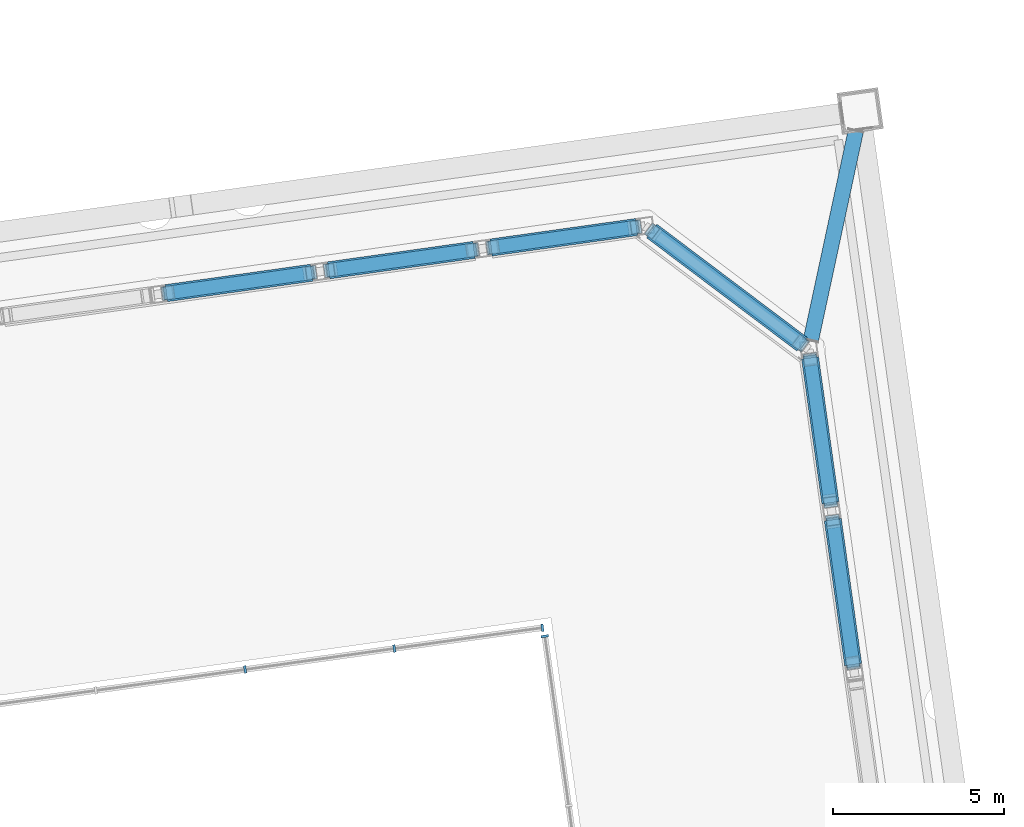
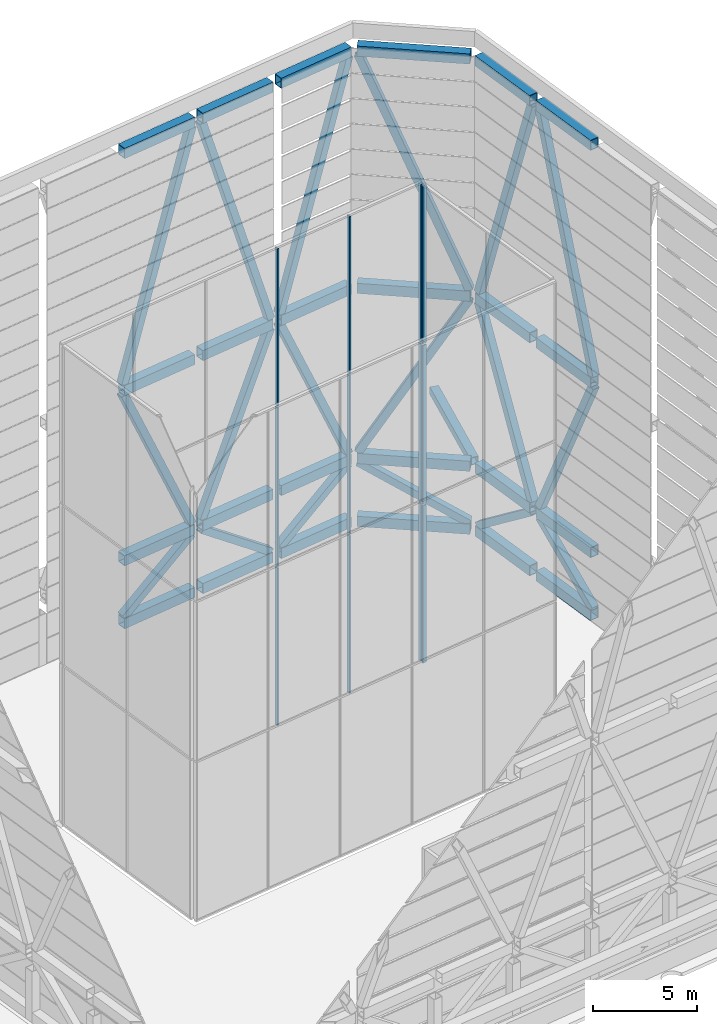
# One storey, part 17 of 45: 31 members, 24 beams, 2 elements without a shape of their own.
"""IFC4 building model written with IfcOpenShell, lengths in metres."""

from ifc_helpers import new_model, si_unit, direction, frame, origin, origin_2d, place, context, subcontext, project, spatial, rectangle, hollow_rectangle, extrude, material, material_profile, profile_set, type_object, element, aggregate, save


model = new_model("IFC4")

# Units and contexts
model_context = context("Model", 3, precision=1e-05, world=origin(), true_north=direction((0.0, 1.0)))
body_context = subcontext(model_context, "Body", "Model", "MODEL_VIEW")
ifc_project = project(units=[si_unit("LENGTHUNIT", "METRE"), si_unit("AREAUNIT", "SQUARE_METRE"), si_unit("VOLUMEUNIT", "CUBIC_METRE"), si_unit("PLANEANGLEUNIT", "RADIAN"), si_unit("MASSUNIT", "GRAM", prefix="KILO")], contexts=[model_context])

# Site, building, storey
site_placement = place(None, origin())
site = spatial("IfcSite", under=ifc_project, at=site_placement, CompositionType="ELEMENT")
building_placement = place(site_placement, origin())
building = spatial("IfcBuilding", under=site, at=building_placement, Name="Mirante Cascada Hotel Towers", CompositionType="ELEMENT")
storey_placement = place(building_placement, frame((0.0, 0.0, 269.8)))
storey = spatial("IfcBuildingStorey", under=building, at=storey_placement, Name="Roof garden", CompositionType="ELEMENT", Elevation=269.8)

# Beams
ifc_material_1 = material(Name="Steel ASTM A572 Gr 50", Category="steel")
ifc_material_profile_1 = material_profile(ifc_material_1, hollow_rectangle(XDim=0.5, YDim=0.6, WallThickness=0.03, at=origin_2d()), Name="Box beam 600x500x30 ASTM A572 Gr 50")
ifc_profile_set_1 = profile_set([ifc_material_profile_1], Name="Steel ASTM A572 Gr 50")
beam_type = type_object("IfcBeamType", Name="Box beam 600x500x30 ASTM A572 Gr 50", PredefinedType="BEAM", material=ifc_profile_set_1)
for number, where, z_axis, x_axis, name in (
    (1, (35.5397, 17.5108, 0.3), (0.9902647, 0.1391973, 0.0), (-0.1391973, 0.9902647, 0.0), "CROWN FRAME ring beam T2 13"),
    (2, (40.2806, 18.1771, 0.3), (0.9902679, 0.1391744, 0.0), (-0.1391744, 0.9902679, 0.0), "CROWN FRAME ring beam T2 14"),
    (3, (45.0215, 18.8434, 0.3), (0.9902679, 0.1391744, 0.0), (-0.1391744, 0.9902679, 0.0), "CROWN FRAME ring beam T2 15"),
):
    element("IfcBeam", number, at=place(storey_placement, frame(where, z_axis=z_axis, x_axis=x_axis)), inside=storey, type_object=beam_type, Name=name, PredefinedType="BEAM", context=body_context, shape_type="SweptSolid", body=[
        extrude(hollow_rectangle(XDim=0.5, YDim=0.6, WallThickness=0.03, at=origin_2d()), origin(), (0.0, 0.0, 1.0), 4.2874),
    ])
beam_1_placement = place(storey_placement, frame((49.7144, 19.3245, 0.3), z_axis=(0.7986365, -0.6018137, 0.0), x_axis=(0.6018137, 0.7986365, 0.0)))
element("IfcBeam", 4, at=beam_1_placement, inside=storey, type_object=beam_type, Name="CROWN FRAME ring beam T2 16", PredefinedType="BEAM", context=body_context, shape_type="SweptSolid", body=[
    extrude(hollow_rectangle(XDim=0.5, YDim=0.6, WallThickness=0.03, at=origin_2d()), origin(), (0.0, 0.0, 1.0), 5.4912),
])
beam_2_placement = place(storey_placement, frame((54.3343, 15.6218, 0.3), z_axis=(0.1391856, -0.9902663, 0.0), x_axis=(0.9902663, 0.1391856, 0.0)))
element("IfcBeam", 5, at=beam_2_placement, inside=storey, type_object=beam_type, Name="CROWN FRAME ring beam T2 17", PredefinedType="BEAM", context=body_context, shape_type="SweptSolid", body=[
    extrude(hollow_rectangle(XDim=0.5, YDim=0.6, WallThickness=0.03, at=origin_2d()), origin(), (0.0, 0.0, 1.0), 4.2713),
])
beam_3_placement = place(storey_placement, frame((54.9984, 10.897, 0.3), z_axis=(0.1391659, -0.9902691, 0.0), x_axis=(0.9902691, 0.1391659, 0.0)))
element("IfcBeam", 6, at=beam_3_placement, inside=storey, type_object=beam_type, Name="CROWN FRAME ring beam T2 18", PredefinedType="BEAM", context=body_context, shape_type="SweptSolid", body=[
    extrude(hollow_rectangle(XDim=0.5, YDim=0.6, WallThickness=0.03, at=origin_2d()), origin(), (0.0, 0.0, 1.0), 4.2712),
])
for number, where, z_axis, x_axis, name in (
    (7, (35.5397, 17.5108, 4.0), (0.9902647, 0.1391973, 0.0), (-0.1391973, 0.9902647, 0.0), "CROWN FRAME ring beam T2 43"),
    (8, (40.2806, 18.1771, 4.0), (0.9902679, 0.1391744, 0.0), (-0.1391744, 0.9902679, 0.0), "CROWN FRAME ring beam T2 44"),
    (9, (45.0215, 18.8434, 4.0), (0.9902679, 0.1391744, 0.0), (-0.1391744, 0.9902679, 0.0), "CROWN FRAME ring beam T2 45"),
):
    element("IfcBeam", number, at=place(storey_placement, frame(where, z_axis=z_axis, x_axis=x_axis)), inside=storey, type_object=beam_type, Name=name, PredefinedType="BEAM", context=body_context, shape_type="SweptSolid", body=[
        extrude(hollow_rectangle(XDim=0.5, YDim=0.6, WallThickness=0.03, at=origin_2d()), origin(), (0.0, 0.0, 1.0), 4.2874),
    ])
beam_4_placement = place(storey_placement, frame((49.7144, 19.3245, 4.0), z_axis=(0.7986365, -0.6018137, 0.0), x_axis=(0.6018137, 0.7986365, 0.0)))
element("IfcBeam", 10, at=beam_4_placement, inside=storey, type_object=beam_type, Name="CROWN FRAME ring beam T2 46", PredefinedType="BEAM", context=body_context, shape_type="SweptSolid", body=[
    extrude(hollow_rectangle(XDim=0.5, YDim=0.6, WallThickness=0.03, at=origin_2d()), origin(), (0.0, 0.0, 1.0), 5.4912),
])
beam_5_placement = place(storey_placement, frame((54.3343, 15.6218, 4.0), z_axis=(0.1391856, -0.9902663, 0.0), x_axis=(0.9902663, 0.1391856, 0.0)))
element("IfcBeam", 11, at=beam_5_placement, inside=storey, type_object=beam_type, Name="CROWN FRAME ring beam T2 47", PredefinedType="BEAM", context=body_context, shape_type="SweptSolid", body=[
    extrude(hollow_rectangle(XDim=0.5, YDim=0.6, WallThickness=0.03, at=origin_2d()), origin(), (0.0, 0.0, 1.0), 4.2713),
])
beam_6_placement = place(storey_placement, frame((54.9984, 10.897, 4.0), z_axis=(0.1391659, -0.9902691, 0.0), x_axis=(0.9902691, 0.1391659, 0.0)))
element("IfcBeam", 12, at=beam_6_placement, inside=storey, type_object=beam_type, Name="CROWN FRAME ring beam T2 48", PredefinedType="BEAM", context=body_context, shape_type="SweptSolid", body=[
    extrude(hollow_rectangle(XDim=0.5, YDim=0.6, WallThickness=0.03, at=origin_2d()), origin(), (0.0, 0.0, 1.0), 4.2712),
])
for number, where, z_axis, x_axis, name in (
    (13, (35.5397, 17.5108, 14.0), (0.9902647, 0.1391973, 0.0), (-0.1391973, 0.9902647, 0.0), "CROWN FRAME ring beam T2 73"),
    (14, (40.2806, 18.1771, 14.0), (0.9902679, 0.1391744, 0.0), (-0.1391744, 0.9902679, 0.0), "CROWN FRAME ring beam T2 74"),
    (15, (45.0215, 18.8434, 14.0), (0.9902679, 0.1391744, 0.0), (-0.1391744, 0.9902679, 0.0), "CROWN FRAME ring beam T2 75"),
):
    element("IfcBeam", number, at=place(storey_placement, frame(where, z_axis=z_axis, x_axis=x_axis)), inside=storey, type_object=beam_type, Name=name, PredefinedType="BEAM", context=body_context, shape_type="SweptSolid", body=[
        extrude(hollow_rectangle(XDim=0.5, YDim=0.6, WallThickness=0.03, at=origin_2d()), origin(), (0.0, 0.0, 1.0), 4.2874),
    ])
beam_7_placement = place(storey_placement, frame((49.7144, 19.3245, 14.0), z_axis=(0.7986365, -0.6018137, 0.0), x_axis=(0.6018137, 0.7986365, 0.0)))
element("IfcBeam", 16, at=beam_7_placement, inside=storey, type_object=beam_type, Name="CROWN FRAME ring beam T2 76", PredefinedType="BEAM", context=body_context, shape_type="SweptSolid", body=[
    extrude(hollow_rectangle(XDim=0.5, YDim=0.6, WallThickness=0.03, at=origin_2d()), origin(), (0.0, 0.0, 1.0), 5.4912),
])
beam_8_placement = place(storey_placement, frame((54.3343, 15.6218, 14.0), z_axis=(0.1391856, -0.9902663, 0.0), x_axis=(0.9902663, 0.1391856, 0.0)))
element("IfcBeam", 17, at=beam_8_placement, inside=storey, type_object=beam_type, Name="CROWN FRAME ring beam T2 77", PredefinedType="BEAM", context=body_context, shape_type="SweptSolid", body=[
    extrude(hollow_rectangle(XDim=0.5, YDim=0.6, WallThickness=0.03, at=origin_2d()), origin(), (0.0, 0.0, 1.0), 4.2713),
])
beam_9_placement = place(storey_placement, frame((54.9984, 10.897, 14.0), z_axis=(0.1391659, -0.9902691, 0.0), x_axis=(0.9902691, 0.1391659, 0.0)))
element("IfcBeam", 18, at=beam_9_placement, inside=storey, type_object=beam_type, Name="CROWN FRAME ring beam T2 78", PredefinedType="BEAM", context=body_context, shape_type="SweptSolid", body=[
    extrude(hollow_rectangle(XDim=0.5, YDim=0.6, WallThickness=0.03, at=origin_2d()), origin(), (0.0, 0.0, 1.0), 4.2712),
])
for number, where, z_axis, x_axis, name in (
    (19, (35.5397, 17.5108, 27.95), (0.9902647, 0.1391973, 0.0), (-0.1391973, 0.9902647, 0.0), "CROWN FRAME ring beam T2 103"),
    (20, (40.2806, 18.1771, 27.95), (0.9902679, 0.1391744, 0.0), (-0.1391744, 0.9902679, 0.0), "CROWN FRAME ring beam T2 104"),
    (21, (45.0215, 18.8434, 27.95), (0.9902679, 0.1391744, 0.0), (-0.1391744, 0.9902679, 0.0), "CROWN FRAME ring beam T2 105"),
):
    element("IfcBeam", number, at=place(storey_placement, frame(where, z_axis=z_axis, x_axis=x_axis)), inside=storey, type_object=beam_type, Name=name, PredefinedType="BEAM", context=body_context, shape_type="SweptSolid", body=[
        extrude(hollow_rectangle(XDim=0.5, YDim=0.6, WallThickness=0.03, at=origin_2d()), origin(), (0.0, 0.0, 1.0), 4.2874),
    ])
beam_10_placement = place(storey_placement, frame((49.7144, 19.3245, 27.95), z_axis=(0.7986365, -0.6018137, 0.0), x_axis=(0.6018137, 0.7986365, 0.0)))
element("IfcBeam", 22, at=beam_10_placement, inside=storey, type_object=beam_type, Name="CROWN FRAME ring beam T2 106", PredefinedType="BEAM", context=body_context, shape_type="SweptSolid", body=[
    extrude(hollow_rectangle(XDim=0.5, YDim=0.6, WallThickness=0.03, at=origin_2d()), origin(), (0.0, 0.0, 1.0), 5.4912),
])
beam_11_placement = place(storey_placement, frame((54.3343, 15.6218, 27.95), z_axis=(0.1391856, -0.9902663, 0.0), x_axis=(0.9902663, 0.1391856, 0.0)))
element("IfcBeam", 23, at=beam_11_placement, inside=storey, type_object=beam_type, Name="CROWN FRAME ring beam T2 107", PredefinedType="BEAM", context=body_context, shape_type="SweptSolid", body=[
    extrude(hollow_rectangle(XDim=0.5, YDim=0.6, WallThickness=0.03, at=origin_2d()), origin(), (0.0, 0.0, 1.0), 4.2713),
])
beam_12_placement = place(storey_placement, frame((54.9984, 10.897, 27.95), z_axis=(0.1391659, -0.9902691, 0.0), x_axis=(0.9902691, 0.1391659, 0.0)))
element("IfcBeam", 24, at=beam_12_placement, inside=storey, type_object=beam_type, Name="CROWN FRAME ring beam T2 108", PredefinedType="BEAM", context=body_context, shape_type="SweptSolid", body=[
    extrude(hollow_rectangle(XDim=0.5, YDim=0.6, WallThickness=0.03, at=origin_2d()), origin(), (0.0, 0.0, 1.0), 4.2712),
])

# Members
ifc_material_2 = material(Name="Steel ASTM A572 Gr 50", Category="steel")
ifc_material_profile_2 = material_profile(ifc_material_2, hollow_rectangle(XDim=0.4, YDim=0.4, WallThickness=0.025, at=origin_2d()), Name="Box brace 400x400x25 ASTM A572 Gr 50")
ifc_profile_set_2 = profile_set([ifc_material_profile_2], Name="Steel ASTM A572 Gr 50")
member_type_1 = type_object("IfcMemberType", Name="Box brace 400x400x25 ASTM A572 Gr 50", PredefinedType="BRACE", material=ifc_profile_set_2)
for number, where, z_axis, x_axis, name in (
    (25, (35.5892, 17.5178, 0.6), (0.7959018, 0.1118604, 0.5950022), (-0.1391776, 0.9902674, 0.0), "Hat truss diagonal T2 13"),
    (26, (44.4768, 18.7669, 0.6), (-0.7959018, -0.1118604, 0.5950022), (0.1391776, -0.9902674, 0.0), "Hat truss diagonal T2 14"),
    (27, (45.071, 18.8504, 0.6), (0.7959018, 0.1118604, 0.5950022), (-0.1391776, 0.9902674, 0.0), "Hat truss diagonal T2 15"),
):
    element("IfcMember", number, at=place(storey_placement, frame(where, z_axis=z_axis, x_axis=x_axis)), inside=storey, type_object=member_type_1, Name=name, PredefinedType="BRACE", context=body_context, shape_type="SweptSolid", body=[
        extrude(hollow_rectangle(XDim=0.4, YDim=0.4, WallThickness=0.025, at=origin_2d()), origin(), (0.0, 0.0, 1.0), 5.2101),
    ])
member_1_placement = place(storey_placement, frame((54.06, 16.0499, 0.6), z_axis=(-0.6923388, 0.5217143, 0.4984788), x_axis=(-0.6018147, -0.7986357, 0.0)))
element("IfcMember", 28, at=member_1_placement, inside=storey, type_object=member_type_1, Name="Hat truss diagonal T2 16", PredefinedType="BRACE", context=body_context, shape_type="SweptSolid", body=[
    extrude(hollow_rectangle(XDim=0.4, YDim=0.4, WallThickness=0.025, at=origin_2d()), origin(), (0.0, 0.0, 1.0), 6.2189),
])
for number, where, z_axis, x_axis, name in (
    (29, (54.3413, 15.5723, 0.6), (0.111699, -0.7948043, 0.5964977), (0.9902687, 0.1391689, 0.0), "Hat truss diagonal T2 17"),
    (30, (55.5858, 6.7169, 0.6), (-0.111699, 0.7948043, 0.5964977), (-0.9902687, -0.1391689, 0.0), "Hat truss diagonal T2 18"),
):
    element("IfcMember", number, at=place(storey_placement, frame(where, z_axis=z_axis, x_axis=x_axis)), inside=storey, type_object=member_type_1, Name=name, PredefinedType="BRACE", context=body_context, shape_type="SweptSolid", body=[
        extrude(hollow_rectangle(XDim=0.4, YDim=0.4, WallThickness=0.025, at=origin_2d()), origin(), (0.0, 0.0, 1.0), 5.197),
    ])
for number, where, z_axis, x_axis, name in (
    (31, (39.7359, 18.1006, 4.3), (-0.4029632, -0.0566347, 0.9134622), (0.1391776, -0.9902674, 0.0), "CROWN FRAME brace T2 43"),
    (32, (40.3301, 18.1841, 4.3), (0.4029632, 0.0566347, 0.9134622), (-0.1391776, 0.9902674, 0.0), "CROWN FRAME brace T2 44"),
    (33, (49.2177, 19.4332, 4.3), (-0.4029632, -0.0566347, 0.9134622), (0.1391776, -0.9902674, 0.0), "CROWN FRAME brace T2 45"),
):
    element("IfcMember", number, at=place(storey_placement, frame(where, z_axis=z_axis, x_axis=x_axis)), inside=storey, type_object=member_type_1, Name=name, PredefinedType="BRACE", context=body_context, shape_type="SweptSolid", body=[
        extrude(hollow_rectangle(XDim=0.4, YDim=0.4, WallThickness=0.025, at=origin_2d()), origin(), (0.0, 0.0, 1.0), 10.2905),
    ])
member_2_placement = place(storey_placement, frame((49.7544, 19.2944, 4.3), z_axis=(0.3973319, -0.2994109, 0.8674563), x_axis=(0.6018147, 0.7986357, 0.0)))
element("IfcMember", 34, at=member_2_placement, inside=storey, type_object=member_type_1, Name="CROWN FRAME brace T2 46", PredefinedType="BRACE", context=body_context, shape_type="SweptSolid", body=[
    extrude(hollow_rectangle(XDim=0.4, YDim=0.4, WallThickness=0.025, at=origin_2d()), origin(), (0.0, 0.0, 1.0), 10.8363),
])
for number, where, z_axis, x_axis, name in (
    (35, (54.9218, 11.4417, 4.3), (-0.0564474, 0.4016565, 0.9140491), (-0.9902687, -0.1391689, 0.0), "CROWN FRAME brace T2 47"),
    (36, (55.0053, 10.8475, 4.3), (0.0564474, -0.4016565, 0.9140491), (0.9902687, 0.1391689, 0.0), "CROWN FRAME brace T2 48"),
):
    element("IfcMember", number, at=place(storey_placement, frame(where, z_axis=z_axis, x_axis=x_axis)), inside=storey, type_object=member_type_1, Name=name, PredefinedType="BRACE", context=body_context, shape_type="SweptSolid", body=[
        extrude(hollow_rectangle(XDim=0.4, YDim=0.4, WallThickness=0.025, at=origin_2d()), origin(), (0.0, 0.0, 1.0), 10.2839),
    ])
for number, where, z_axis, x_axis, name in (
    (37, (35.5892, 17.5178, 14.3), (0.2963764, 0.0416544, 0.9541624), (-0.1391776, 0.9902674, 0.0), "CROWN FRAME brace T2 73"),
    (38, (44.4768, 18.7669, 14.3), (-0.2963764, -0.0416544, 0.9541624), (0.1391776, -0.9902674, 0.0), "CROWN FRAME brace T2 74"),
    (39, (45.071, 18.8504, 14.3), (0.2963764, 0.0416544, 0.9541624), (-0.1391776, 0.9902674, 0.0), "CROWN FRAME brace T2 75"),
):
    element("IfcMember", number, at=place(storey_placement, frame(where, z_axis=z_axis, x_axis=x_axis)), inside=storey, type_object=member_type_1, Name=name, PredefinedType="BRACE", context=body_context, shape_type="SweptSolid", body=[
        extrude(hollow_rectangle(XDim=0.4, YDim=0.4, WallThickness=0.025, at=origin_2d()), origin(), (0.0, 0.0, 1.0), 13.9913),
    ])
member_3_placement = place(storey_placement, frame((54.06, 16.0499, 14.3), z_axis=(-0.2990523, 0.2253519, 0.9272455), x_axis=(-0.6018147, -0.7986357, 0.0)))
element("IfcMember", 40, at=member_3_placement, inside=storey, type_object=member_type_1, Name="CROWN FRAME brace T2 76", PredefinedType="BRACE", context=body_context, shape_type="SweptSolid", body=[
    extrude(hollow_rectangle(XDim=0.4, YDim=0.4, WallThickness=0.025, at=origin_2d()), origin(), (0.0, 0.0, 1.0), 14.3975),
])
for number, where, z_axis, x_axis, name in (
    (41, (54.3413, 15.5723, 14.3), (0.0415044, -0.2953283, 0.9544939), (0.9902687, 0.1391689, 0.0), "CROWN FRAME brace T2 77"),
    (42, (55.5858, 6.7169, 14.3), (-0.0415044, 0.2953283, 0.9544939), (-0.9902687, -0.1391689, 0.0), "CROWN FRAME brace T2 78"),
):
    element("IfcMember", number, at=place(storey_placement, frame(where, z_axis=z_axis, x_axis=x_axis)), inside=storey, type_object=member_type_1, Name=name, PredefinedType="BRACE", context=body_context, shape_type="SweptSolid", body=[
        extrude(hollow_rectangle(XDim=0.4, YDim=0.4, WallThickness=0.025, at=origin_2d()), origin(), (0.0, 0.0, 1.0), 13.9865),
    ])
ifc_material_3 = material(Name="Steel ASTM A572 Gr 50", Category="steel")
ifc_material_profile_3 = material_profile(ifc_material_3, hollow_rectangle(XDim=0.45, YDim=0.45, WallThickness=0.03, at=origin_2d()), Name="Box tie 450x450x30 ASTM A572 Gr 50")
ifc_profile_set_3 = profile_set([ifc_material_profile_3], Name="Steel ASTM A572 Gr 50")
member_type_2 = type_object("IfcMemberType", Name="Box tie 450x450x30 ASTM A572 Gr 50", PredefinedType="STRUT", material=ifc_profile_set_3)
member_4_placement = place(storey_placement, frame((55.6721, 22.259, 4.0), z_axis=(-0.2100138, -0.9776984, 0.0), x_axis=(0.9776984, -0.2100138, 0.0)))
element("IfcMember", 43, at=member_4_placement, inside=storey, type_object=member_type_2, Name="CROWN FRAME tie T2 3", PredefinedType="STRUT", context=body_context, shape_type="SweptSolid", body=[
    extrude(hollow_rectangle(XDim=0.45, YDim=0.45, WallThickness=0.03, at=origin_2d()), origin(), (0.0, 0.0, 1.0), 6.2691),
])

# Curtain wall, members
ifc_material_4 = material(Name="Aluminium mullion and transom frame with clear laminated glass", Category="aluminium")
curtain_wall_type = type_object("IfcCurtainWallType", Name="Atrium rooflight wall ECW6", PredefinedType="NOTDEFINED", material=ifc_material_4)
curtain_wall_1_placement = place(storey_placement, origin())
curtain_wall_1 = element("IfcCurtainWall", 44, at=curtain_wall_1_placement, inside=storey, type_object=curtain_wall_type, Name="Atrium rooflight wall T2 outer", PredefinedType="NOTDEFINED")
ifc_material_5 = material(Name="Anodised aluminium extrusion", Category="aluminium")
ifc_material_profile_4 = material_profile(ifc_material_5, rectangle(XDim=0.22, YDim=0.07, at=origin_2d()), Name="ECW6 MULLION 70x220")
ifc_profile_set_4 = profile_set([ifc_material_profile_4], Name="Anodised aluminium extrusion")
member_type_3 = type_object("IfcMemberType", Name="ECW6 mullion 70x220", PredefinedType="MULLION", material=ifc_profile_set_4)
member_5_placement = place(storey_placement, frame((46.5898, 7.4963, 0.1), z_axis=(0.0, 0.0, 1.0), x_axis=(-0.9902681, -0.1391731, 0.0)))
member_5 = element("IfcMember", 45, at=member_5_placement, type_object=member_type_3, Name="ECW6 mullion 3", PredefinedType="MULLION", context=body_context, shape_type="SweptSolid", body=[
    extrude(rectangle(XDim=0.22, YDim=0.07, at=origin_2d()), origin(), (0.0, 0.0, 1.0), 9.2667),
])
member_6_placement = place(storey_placement, frame((46.5898, 7.4963, 9.4667), z_axis=(0.0, 0.0, 1.0), x_axis=(-0.9902681, -0.1391731, 0.0)))
member_6 = element("IfcMember", 46, at=member_6_placement, type_object=member_type_3, Name="ECW6 mullion 3", PredefinedType="MULLION", context=body_context, shape_type="SweptSolid", body=[
    extrude(rectangle(XDim=0.22, YDim=0.07, at=origin_2d()), origin(), (0.0, 0.0, 1.0), 9.3166),
])
member_7_placement = place(storey_placement, frame((46.5898, 7.4963, 18.8833), z_axis=(0.0, 0.0, 1.0), x_axis=(-0.9902681, -0.1391731, 0.0)))
member_7 = element("IfcMember", 47, at=member_7_placement, type_object=member_type_3, Name="ECW6 mullion 3", PredefinedType="MULLION", context=body_context, shape_type="SweptSolid", body=[
    extrude(rectangle(XDim=0.22, YDim=0.07, at=origin_2d()), origin(), (0.0, 0.0, 1.0), 9.2667),
])
aggregate(curtain_wall_1, [member_5, member_6, member_7])

curtain_wall_2_placement = place(storey_placement, origin())
curtain_wall_2 = element("IfcCurtainWall", 48, at=curtain_wall_2_placement, inside=storey, type_object=curtain_wall_type, Name="Atrium rooflight wall T2 long front", PredefinedType="NOTDEFINED")
member_8_placement = place(storey_placement, frame((46.5197, 7.7439, 0.1), z_axis=(0.0, 0.0, 1.0), x_axis=(0.1391731, -0.9902681, 0.0)))
member_8 = element("IfcMember", 49, at=member_8_placement, type_object=member_type_3, Name="ECW6 mullion 1", PredefinedType="MULLION", context=body_context, shape_type="SweptSolid", body=[
    extrude(rectangle(XDim=0.22, YDim=0.07, at=origin_2d()), origin(), (0.0, 0.0, 1.0), 9.2667),
])
member_9_placement = place(storey_placement, frame((46.5197, 7.7439, 9.4667), z_axis=(0.0, 0.0, 1.0), x_axis=(0.1391731, -0.9902681, 0.0)))
member_9 = element("IfcMember", 50, at=member_9_placement, type_object=member_type_3, Name="ECW6 mullion 1", PredefinedType="MULLION", context=body_context, shape_type="SweptSolid", body=[
    extrude(rectangle(XDim=0.22, YDim=0.07, at=origin_2d()), origin(), (0.0, 0.0, 1.0), 9.3166),
])
member_10_placement = place(storey_placement, frame((46.5197, 7.7439, 18.8833), z_axis=(0.0, 0.0, 1.0), x_axis=(0.1391731, -0.9902681, 0.0)))
member_10 = element("IfcMember", 51, at=member_10_placement, type_object=member_type_3, Name="ECW6 mullion 1", PredefinedType="MULLION", context=body_context, shape_type="SweptSolid", body=[
    extrude(rectangle(XDim=0.22, YDim=0.07, at=origin_2d()), origin(), (0.0, 0.0, 1.0), 9.2667),
])
member_11_placement = place(storey_placement, frame((42.1972, 7.1364, 0.1), z_axis=(0.0, 0.0, 1.0), x_axis=(0.1391731, -0.9902681, 0.0)))
member_11 = element("IfcMember", 52, at=member_11_placement, type_object=member_type_3, Name="ECW6 mullion 2", PredefinedType="MULLION", context=body_context, shape_type="SweptSolid", body=[
    extrude(rectangle(XDim=0.22, YDim=0.07, at=origin_2d()), origin(), (0.0, 0.0, 1.0), 9.2667),
])
member_12_placement = place(storey_placement, frame((42.1972, 7.1364, 9.4667), z_axis=(0.0, 0.0, 1.0), x_axis=(0.1391731, -0.9902681, 0.0)))
member_12 = element("IfcMember", 53, at=member_12_placement, type_object=member_type_3, Name="ECW6 mullion 2", PredefinedType="MULLION", context=body_context, shape_type="SweptSolid", body=[
    extrude(rectangle(XDim=0.22, YDim=0.07, at=origin_2d()), origin(), (0.0, 0.0, 1.0), 9.3166),
])
member_13_placement = place(storey_placement, frame((42.1972, 7.1364, 18.8833), z_axis=(0.0, 0.0, 1.0), x_axis=(0.1391731, -0.9902681, 0.0)))
member_13 = element("IfcMember", 54, at=member_13_placement, type_object=member_type_3, Name="ECW6 mullion 2", PredefinedType="MULLION", context=body_context, shape_type="SweptSolid", body=[
    extrude(rectangle(XDim=0.22, YDim=0.07, at=origin_2d()), origin(), (0.0, 0.0, 1.0), 9.2667),
])
member_14_placement = place(storey_placement, frame((37.84, 6.5241, 0.1), z_axis=(0.0, 0.0, 1.0), x_axis=(0.1391731, -0.9902681, 0.0)))
member_14 = element("IfcMember", 55, at=member_14_placement, type_object=member_type_3, Name="ECW6 mullion 3", PredefinedType="MULLION", context=body_context, shape_type="SweptSolid", body=[
    extrude(rectangle(XDim=0.22, YDim=0.07, at=origin_2d()), origin(), (0.0, 0.0, 1.0), 9.2667),
])
member_15_placement = place(storey_placement, frame((37.84, 6.5241, 9.4667), z_axis=(0.0, 0.0, 1.0), x_axis=(0.1391731, -0.9902681, 0.0)))
member_15 = element("IfcMember", 56, at=member_15_placement, type_object=member_type_3, Name="ECW6 mullion 3", PredefinedType="MULLION", context=body_context, shape_type="SweptSolid", body=[
    extrude(rectangle(XDim=0.22, YDim=0.07, at=origin_2d()), origin(), (0.0, 0.0, 1.0), 9.3166),
])
member_16_placement = place(storey_placement, frame((37.84, 6.5241, 18.8833), z_axis=(0.0, 0.0, 1.0), x_axis=(0.1391731, -0.9902681, 0.0)))
member_16 = element("IfcMember", 57, at=member_16_placement, type_object=member_type_3, Name="ECW6 mullion 3", PredefinedType="MULLION", context=body_context, shape_type="SweptSolid", body=[
    extrude(rectangle(XDim=0.22, YDim=0.07, at=origin_2d()), origin(), (0.0, 0.0, 1.0), 9.2667),
])
aggregate(curtain_wall_2, [member_8, member_9, member_10, member_11, member_12, member_13, member_14, member_15, member_16])

save(model, "model.ifc")
